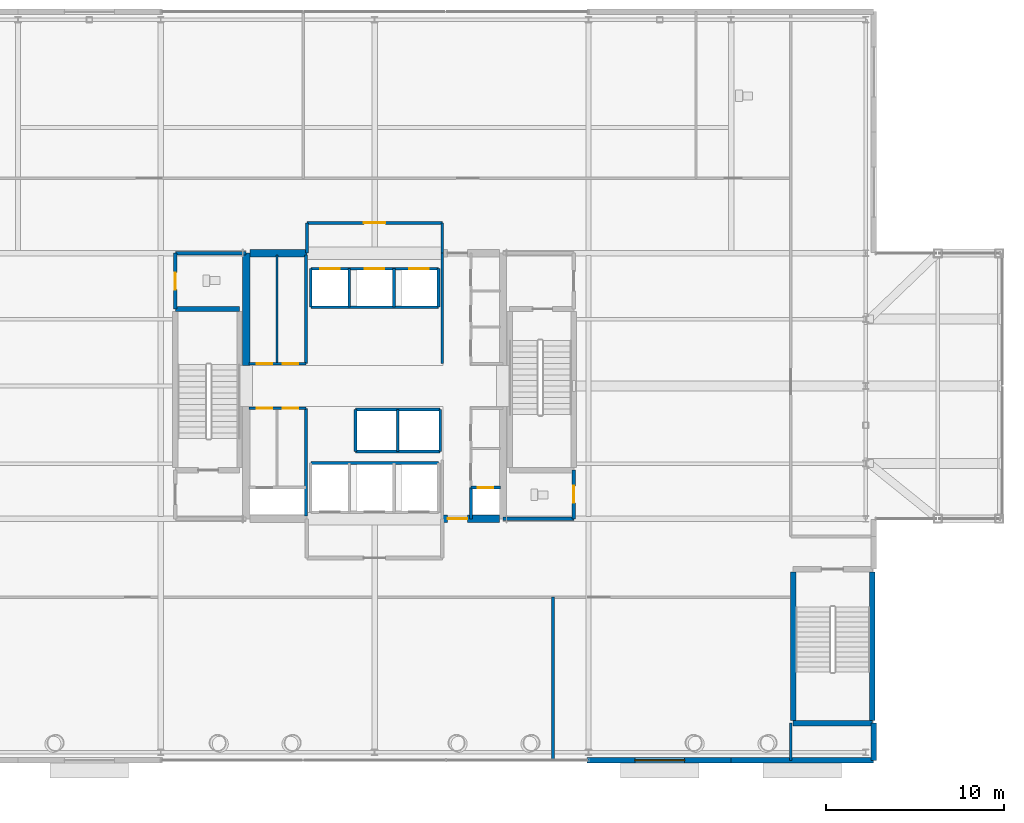
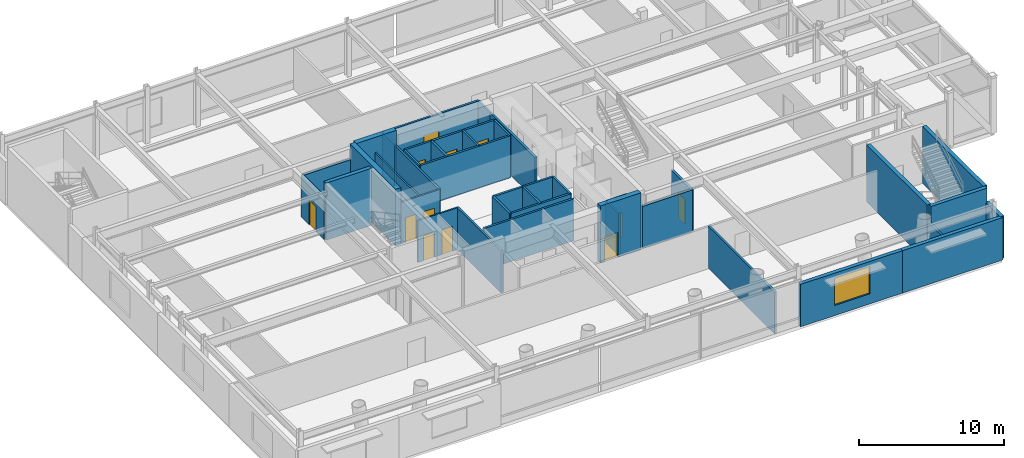
# One storey, part 20 of 26: 39 walls, 12 doors, 1 window, 13 openings.
"""IFC4 building model written with IfcOpenShell, lengths in metres."""

from ifc_helpers import new_model, si_unit, direction, frame, frame_2d, origin, place, context, subcontext, project, spatial, rectangle, extrude, material, layer, layer_set, type_object, element, fill, save


model = new_model("IFC4")

# Units and contexts
model_context = context("Model", 3, precision=1e-05, world=origin(), true_north=direction((0.0, 1.0)))
body_context = subcontext(model_context, "Body", "Model", "MODEL_VIEW")
ifc_project = project(units=[si_unit("LENGTHUNIT", "METRE"), si_unit("AREAUNIT", "SQUARE_METRE"), si_unit("VOLUMEUNIT", "CUBIC_METRE"), si_unit("PLANEANGLEUNIT", "RADIAN"), si_unit("MASSUNIT", "GRAM", prefix="KILO")], contexts=[model_context])

# Site, building, storey
site_placement = place(None, origin())
site = spatial("IfcSite", under=ifc_project, at=site_placement, CompositionType="ELEMENT")
building_placement = place(site_placement, origin())
building = spatial("IfcBuilding", under=site, at=building_placement, Name="Veldorina Hangang Commons", CompositionType="ELEMENT")
storey_placement = place(building_placement, frame((0.0, 0.0, 10.0)))
storey = spatial("IfcBuildingStorey", under=building, at=storey_placement, Name="L02", CompositionType="ELEMENT", Elevation=10.0)

# Wall
ifc_material_1 = material(Name="Concrete C70/85", Category="concrete")
ifc_layer_1 = layer(ifc_material_1, 0.39990234375)
ifc_layer_set_1 = layer_set([ifc_layer_1], Name="Concrete C70/85")
wall_type_1 = type_object("IfcWallType", Name="CW-RC400-C70", PredefinedType="SHEAR", material=ifc_layer_set_1)
wall_1_placement = place(storey_placement, frame((24.800048828125, 25.14990234375, 0.0), z_axis=(0.0, 0.0, 1.0), x_axis=(0.0, 1.0, 0.0)))
element("IfcWall", 1, at=wall_1_placement, inside=storey, type_object=wall_type_1, Name="L02 W north core shear wall", PredefinedType="SHEAR", context=body_context, shape_type="SweptSolid", body=[
    extrude(rectangle(XDim=6.300048828125, YDim=0.39990234375, at=frame_2d((3.14990234375, 0.0))), origin(), (0.0, 0.0, 1.0), 4.800048828125),
])

# Wall, opening, door
wall_2_placement = place(storey_placement, frame((35.800048828125, 16.550048828125, 0.0), z_axis=(0.0, 0.0, 1.0), x_axis=(1.0, 0.0, 0.0)))
wall_2 = element("IfcWall", 2, at=wall_2_placement, inside=storey, type_object=wall_type_1, Name="L02 south-east core shear wall", PredefinedType="SHEAR", context=body_context, shape_type="SweptSolid", body=[
    extrude(rectangle(XDim=3.199951171875, YDim=0.39990234375, at=frame_2d((1.60009765625, 0.0))), origin(), (0.0, 0.0, 1.0), 4.800048828125),
])
opening_1_placement = place(wall_2_placement, frame((0.300048828125, 0.0, 0.0)))
opening_1 = element("IfcOpeningElement", 3, at=opening_1_placement, cuts=wall_2, Name="Opening D-08", PredefinedType="OPENING", context=body_context, shape_type="SweptSolid", body=[
    extrude(rectangle(XDim=1.10009765625, YDim=2.10009765625, at=frame_2d((0.550048828125, 1.050048828125))), frame((0.0, 0.2099609375, 0.0), z_axis=(0.0, -1.0, 0.0), x_axis=(1.0, 0.0, 0.0)), (0.0, 0.0, 1.0), 0.419921875),
])
ifc_material_2 = material(Name="Steel Fire-Rated Smoke Seal", Category="steel")
door_type_1 = type_object("IfcDoorType", Name="DR-FIRE-1100", OperationType="SINGLE_SWING_RIGHT", PredefinedType="DOOR", material=ifc_material_2)
door_1_placement = place(opening_1_placement, origin())
door_1 = element("IfcDoor", 4, at=door_1_placement, inside=storey, type_object=door_type_1, Name="L02 central lift lobby south corridor door", OperationType="SINGLE_SWING_RIGHT", OverallHeight=2.10009765625, OverallWidth=1.10009765625, PredefinedType="DOOR", context=body_context, shape_type="SweptSolid", body=[
    extrude(rectangle(XDim=1.10009765625, YDim=2.10009765625, at=frame_2d((0.550048828125, 1.050048828125))), frame((0.0, 0.02490234375, 0.0), z_axis=(0.0, -1.0, 0.0), x_axis=(1.0, 0.0, 0.0)), (0.0, 0.0, 1.0), 0.050048828125),
])
fill(opening_1, door_1)

# Wall
wall_3_placement = place(storey_placement, frame((25.0, 31.449951171875, 0.0), z_axis=(0.0, 0.0, 1.0), x_axis=(1.0, 0.0, 0.0)))
element("IfcWall", 5, at=wall_3_placement, inside=storey, type_object=wall_type_1, Name="L02 north-west core shear wall", PredefinedType="SHEAR", context=body_context, shape_type="SweptSolid", body=[
    extrude(rectangle(XDim=3.199951171875, YDim=0.39990234375, at=frame_2d((1.60009765625, 0.0))), origin(), (0.0, 0.0, 1.0), 4.800048828125),
])

# Wall, opening, window
ifc_material_3 = material(Name="Stone Roman Travertine", Category="masonry")
ifc_layer_2 = layer(ifc_material_3, 0.300048828125)
ifc_layer_set_2 = layer_set([ifc_layer_2], Name="Stone Roman Travertine")
wall_type_2 = type_object("IfcWallType", Name="EW-TRAV-300", PredefinedType="STANDARD", material=ifc_layer_set_2)
wall_4_placement = place(storey_placement, frame((43.905029296875, 3.0, 0.0), z_axis=(0.0, 0.0, 1.0), x_axis=(1.0, 0.0, 0.0)))
wall_4 = element("IfcWall", 6, at=wall_4_placement, inside=storey, type_object=wall_type_2, Name="L02 south podium stone wall S6", PredefinedType="STANDARD", context=body_context, shape_type="SweptSolid", body=[
    extrude(rectangle(XDim=8.094970703125, YDim=0.300048828125, at=frame_2d((4.04736328125, 0.0))), origin(), (0.0, 0.0, 1.0), 3.570068359375),
])
opening_2_placement = place(wall_4_placement, frame((2.695068359375, 0.0, 0.85009765625)))
opening_2 = element("IfcOpeningElement", 7, at=opening_2_placement, cuts=wall_4, Name="Opening W-06", PredefinedType="OPENING", context=body_context, shape_type="SweptSolid", body=[
    extrude(rectangle(XDim=2.800048828125, YDim=2.300048828125, at=frame_2d((1.39990234375, 1.14990234375))), frame((0.0, 0.16015625, 0.0), z_axis=(0.0, -1.0, 0.0), x_axis=(1.0, 0.0, 0.0)), (0.0, 0.0, 1.0), 0.320068359375),
])
ifc_material_4 = material(Name="Glass Acoustic Laminated", Category="glass")
window_type = type_object("IfcWindowType", Name="WIN-POD-2800", PartitioningType="SINGLE_PANEL", PredefinedType="WINDOW", material=ifc_material_4)
window_placement = place(opening_2_placement, origin())
window = element("IfcWindow", 8, at=window_placement, inside=storey, type_object=window_type, Name="L02 south podium window S6", OverallHeight=2.300048828125, OverallWidth=2.800048828125, PartitioningType="SINGLE_PANEL", PredefinedType="WINDOW", context=body_context, shape_type="SweptSolid", body=[
    extrude(rectangle(XDim=2.800048828125, YDim=2.300048828125, at=frame_2d((1.39990234375, 1.14990234375))), frame((0.0, 0.030029296875, 0.0), z_axis=(0.0, -1.0, 0.0), x_axis=(1.0, 0.0, 0.0)), (0.0, 0.0, 1.0), 0.06005859375),
])
fill(opening_2, window)

# Walls
wall_5_placement = place(storey_placement, frame((52.0, 3.0, 0.0), z_axis=(0.0, 0.0, 1.0), x_axis=(1.0, 0.0, 0.0)))
element("IfcWall", 9, at=wall_5_placement, inside=storey, type_object=wall_type_2, Name="L02 south podium stone wall S7", PredefinedType="STANDARD", context=body_context, shape_type="SweptSolid", body=[
    extrude(rectangle(XDim=8.0, YDim=0.300048828125, at=frame_2d((4.0, 0.0))), origin(), (0.0, 0.0, 1.0), 3.570068359375),
])
wall_6_placement = place(storey_placement, frame((60.0, 3.0, 0.0), z_axis=(0.0, 0.0, 1.0), x_axis=(0.0, 1.0, 0.0)))
element("IfcWall", 10, at=wall_6_placement, inside=storey, type_object=wall_type_2, Name="L02 east podium stone wall ES1", PredefinedType="STANDARD", context=body_context, shape_type="SweptSolid", body=[
    extrude(rectangle(XDim=2.080078125, YDim=0.300048828125, at=frame_2d((1.0400390625, 0.0))), origin(), (0.0, 0.0, 1.0), 3.570068359375),
])
ifc_material_5 = material(Name="Concrete C50/60", Category="concrete")
ifc_layer_3 = layer(ifc_material_5, 0.300048828125)
ifc_layer_set_3 = layer_set([ifc_layer_3], Name="Concrete C50/60")
wall_type_3 = type_object("IfcWallType", Name="SW-STAIR-300", PredefinedType="SHEAR", material=ifc_layer_set_3)
wall_7_placement = place(storey_placement, frame((20.820068359375, 28.320068359375, 0.0), z_axis=(0.0, 0.0, 1.0), x_axis=(1.0, 0.0, 0.0)))
element("IfcWall", 11, at=wall_7_placement, inside=storey, type_object=wall_type_3, Name="L02 ST1 north stair shear wall", PredefinedType="SHEAR", context=body_context, shape_type="SweptSolid", body=[
    extrude(rectangle(XDim=3.599853515625, YDim=0.300048828125, at=frame_2d((1.7998046875, 0.0))), origin(), (0.0, 0.0, 1.0), 4.800048828125),
])
for number, where, z_axis, x_axis, name in (
    (12, (55.47998046875, 5.22998046875, 0.0), (0.0, 0.0, 1.0), (0.0, 1.0, 0.0), "L02 STP2 W stair shear wall"),
    (13, (59.919921875, 5.22998046875, 0.0), (0.0, 0.0, 1.0), (0.0, 1.0, 0.0), "L02 STP2 E stair shear wall"),
):
    element("IfcWall", number, at=place(storey_placement, frame(where, z_axis=z_axis, x_axis=x_axis)), inside=storey, type_object=wall_type_3, Name=name, PredefinedType="SHEAR", context=body_context, shape_type="SweptSolid", body=[
        extrude(rectangle(XDim=8.340087890625, YDim=0.300048828125, at=frame_2d((4.169921875, 0.0))), origin(), (0.0, 0.0, 1.0), 4.800048828125),
    ])
wall_8_placement = place(storey_placement, frame((55.47998046875, 5.080078125, 0.0), z_axis=(0.0, 0.0, 1.0), x_axis=(1.0, 0.0, 0.0)))
element("IfcWall", 14, at=wall_8_placement, inside=storey, type_object=wall_type_3, Name="L02 STP2 S stair shear wall", PredefinedType="SHEAR", context=body_context, shape_type="SweptSolid", body=[
    extrude(rectangle(XDim=4.43994140625, YDim=0.300048828125, at=frame_2d((2.219970703125, 0.0))), origin(), (0.0, 0.0, 1.0), 4.800048828125),
])
ifc_material_6 = material(Name="Gypsum Fire-Rated Twin Stud Wall", Category="gypsum")
ifc_layer_4 = layer(ifc_material_6, 0.159912109375)
ifc_layer_set_4 = layer_set([ifc_layer_4], Name="Gypsum Fire-Rated Twin Stud Wall")
wall_type_4 = type_object("IfcWallType", Name="WL-FIRE-160", PredefinedType="SOLIDWALL", material=ifc_layer_set_4)
wall_9_placement = place(storey_placement, frame((37.39990234375, 16.550048828125, 0.0), z_axis=(0.0, 0.0, 1.0), x_axis=(0.0, 1.0, 0.0)))
element("IfcWall", 15, at=wall_9_placement, inside=storey, type_object=wall_type_4, Name="L02 Lift passage SE stub 010", PredefinedType="SOLIDWALL", context=body_context, shape_type="SweptSolid", body=[
    extrude(rectangle(XDim=1.75, YDim=0.159912109375, at=frame_2d((0.875, 0.0))), origin(), (0.0, 0.0, 1.0), 3.52001953125),
])
wall_10_placement = place(storey_placement, frame((35.800048828125, 25.25, 0.0), z_axis=(0.0, 0.0, 1.0), x_axis=(0.0, 1.0, 0.0)))
element("IfcWall", 16, at=wall_10_placement, inside=storey, type_object=wall_type_4, Name="L02 Lift passage NW wall 011", PredefinedType="SOLIDWALL", context=body_context, shape_type="SweptSolid", body=[
    extrude(rectangle(XDim=6.199951171875, YDim=0.159912109375, at=frame_2d((3.10009765625, 0.0))), origin(), (0.0, 0.0, 1.0), 3.52001953125),
])

# Wall, openings, doors
wall_11_placement = place(storey_placement, frame((28.419921875, 30.580078125, 0.0), z_axis=(0.0, 0.0, 1.0), x_axis=(1.0, 0.0, 0.0)))
wall_11 = element("IfcWall", 17, at=wall_11_placement, inside=storey, type_object=wall_type_4, Name="L02 Low-bank front shaft wall 015", PredefinedType="SOLIDWALL", context=body_context, shape_type="SweptSolid", body=[
    extrude(rectangle(XDim=7.16015625, YDim=0.159912109375, at=frame_2d((3.580078125, 0.0))), origin(), (0.0, 0.0, 1.0), 3.52001953125),
])
opening_3_placement = place(wall_11_placement, frame((0.530029296875, 0.0, 0.0)))
opening_3 = element("IfcOpeningElement", 18, at=opening_3_placement, cuts=wall_11, Name="Opening LD-01", PredefinedType="OPENING", context=body_context, shape_type="SweptSolid", body=[
    extrude(rectangle(XDim=1.10009765625, YDim=2.14990234375, at=frame_2d((0.550048828125, 1.074951171875))), frame((0.0, 0.08984375, 0.0), z_axis=(0.0, -1.0, 0.0), x_axis=(1.0, 0.0, 0.0)), (0.0, 0.0, 1.0), 0.179931640625),
])
opening_4_placement = place(wall_11_placement, frame((3.030029296875, 0.0, 0.0)))
opening_4 = element("IfcOpeningElement", 19, at=opening_4_placement, cuts=wall_11, Name="Opening LD-01", PredefinedType="OPENING", context=body_context, shape_type="SweptSolid", body=[
    extrude(rectangle(XDim=1.10009765625, YDim=2.14990234375, at=frame_2d((0.550048828125, 1.074951171875))), frame((0.0, 0.08984375, 0.0), z_axis=(0.0, -1.0, 0.0), x_axis=(1.0, 0.0, 0.0)), (0.0, 0.0, 1.0), 0.179931640625),
])
opening_5_placement = place(wall_11_placement, frame((5.530029296875, 0.0, 0.0)))
opening_5 = element("IfcOpeningElement", 20, at=opening_5_placement, cuts=wall_11, Name="Opening LD-01", PredefinedType="OPENING", context=body_context, shape_type="SweptSolid", body=[
    extrude(rectangle(XDim=1.10009765625, YDim=2.14990234375, at=frame_2d((0.550048828125, 1.074951171875))), frame((0.0, 0.08984375, 0.0), z_axis=(0.0, -1.0, 0.0), x_axis=(1.0, 0.0, 0.0)), (0.0, 0.0, 1.0), 0.179931640625),
])
ifc_material_7 = material(Name="Stainless Steel Brushed Lift Door", Category="steel")
door_type_2 = type_object("IfcDoorType", Name="DR-LIFT-1100", OperationType="SLIDING_TO_LEFT", PredefinedType="DOOR", material=ifc_material_7)
door_2_placement = place(opening_3_placement, origin())
door_2 = element("IfcDoor", 21, at=door_2_placement, inside=storey, type_object=door_type_2, Name="L02 Lift PL-L1 landing door 006", OperationType="SLIDING_TO_LEFT", OverallHeight=2.14990234375, OverallWidth=1.10009765625, PredefinedType="DOOR", context=body_context, shape_type="SweptSolid", body=[
    extrude(rectangle(XDim=1.10009765625, YDim=2.14990234375, at=frame_2d((0.550048828125, 1.074951171875))), frame((0.0, 0.02490234375, 0.0), z_axis=(0.0, -1.0, 0.0), x_axis=(1.0, 0.0, 0.0)), (0.0, 0.0, 1.0), 0.050048828125),
])
fill(opening_3, door_2)
door_3_placement = place(opening_4_placement, origin())
door_3 = element("IfcDoor", 22, at=door_3_placement, inside=storey, type_object=door_type_2, Name="L02 Lift PL-L2 landing door 007", OperationType="SLIDING_TO_LEFT", OverallHeight=2.14990234375, OverallWidth=1.10009765625, PredefinedType="DOOR", context=body_context, shape_type="SweptSolid", body=[
    extrude(rectangle(XDim=1.10009765625, YDim=2.14990234375, at=frame_2d((0.550048828125, 1.074951171875))), frame((0.0, 0.02490234375, 0.0), z_axis=(0.0, -1.0, 0.0), x_axis=(1.0, 0.0, 0.0)), (0.0, 0.0, 1.0), 0.050048828125),
])
fill(opening_4, door_3)
door_4_placement = place(opening_5_placement, origin())
door_4 = element("IfcDoor", 23, at=door_4_placement, inside=storey, type_object=door_type_2, Name="L02 Lift PL-L3 landing door 008", OperationType="SLIDING_TO_LEFT", OverallHeight=2.14990234375, OverallWidth=1.10009765625, PredefinedType="DOOR", context=body_context, shape_type="SweptSolid", body=[
    extrude(rectangle(XDim=1.10009765625, YDim=2.14990234375, at=frame_2d((0.550048828125, 1.074951171875))), frame((0.0, 0.02490234375, 0.0), z_axis=(0.0, -1.0, 0.0), x_axis=(1.0, 0.0, 0.0)), (0.0, 0.0, 1.0), 0.050048828125),
])
fill(opening_5, door_4)

# Walls
wall_12_placement = place(storey_placement, frame((28.419921875, 28.419921875, 0.0), z_axis=(0.0, 0.0, 1.0), x_axis=(1.0, 0.0, 0.0)))
element("IfcWall", 24, at=wall_12_placement, inside=storey, type_object=wall_type_4, Name="L02 Low-bank rear shaft wall 016", PredefinedType="SOLIDWALL", context=body_context, shape_type="SweptSolid", body=[
    extrude(rectangle(XDim=7.16015625, YDim=0.159912109375, at=frame_2d((3.580078125, 0.0))), origin(), (0.0, 0.0, 1.0), 3.52001953125),
])
for number, where, z_axis, x_axis, name in (
    (25, (28.419921875, 28.419921875, 0.0), (0.0, 0.0, 1.0), (0.0, 1.0, 0.0), "L02 PL-L1 west shaft wall 017"),
    (26, (30.580078125, 28.419921875, 0.0), (0.0, 0.0, 1.0), (0.0, 1.0, 0.0), "L02 PL-L1 east shaft wall 018"),
    (27, (33.080078125, 28.419921875, 0.0), (0.0, 0.0, 1.0), (0.0, 1.0, 0.0), "L02 PL-L2 east shaft wall 019"),
    (28, (35.580078125, 28.419921875, 0.0), (0.0, 0.0, 1.0), (0.0, 1.0, 0.0), "L02 PL-L3 east shaft wall 020"),
):
    element("IfcWall", number, at=place(storey_placement, frame(where, z_axis=z_axis, x_axis=x_axis)), inside=storey, type_object=wall_type_4, Name=name, PredefinedType="SOLIDWALL", context=body_context, shape_type="SweptSolid", body=[
        extrude(rectangle(XDim=2.16015625, YDim=0.159912109375, at=frame_2d((1.080078125, 0.0))), origin(), (0.0, 0.0, 1.0), 3.52001953125),
    ])
for number, where, z_axis, x_axis, name in (
    (29, (30.919921875, 22.679931640625, 0.0), (0.0, 0.0, 1.0), (1.0, 0.0, 0.0), "L02 Shuttle-high front shaft wall 021"),
    (30, (30.919921875, 20.320068359375, 0.0), (0.0, 0.0, 1.0), (1.0, 0.0, 0.0), "L02 Shuttle-high rear shaft wall 022"),
):
    element("IfcWall", number, at=place(storey_placement, frame(where, z_axis=z_axis, x_axis=x_axis)), inside=storey, type_object=wall_type_4, Name=name, PredefinedType="SOLIDWALL", context=body_context, shape_type="SweptSolid", body=[
        extrude(rectangle(XDim=4.760009765625, YDim=0.159912109375, at=frame_2d((2.3798828125, 0.0))), origin(), (0.0, 0.0, 1.0), 3.52001953125),
    ])
for number, where, z_axis, x_axis, name in (
    (31, (30.919921875, 20.320068359375, 0.0), (0.0, 0.0, 1.0), (0.0, 1.0, 0.0), "L02 SL-1 west shaft wall 023"),
    (32, (33.300048828125, 20.320068359375, 0.0), (0.0, 0.0, 1.0), (0.0, 1.0, 0.0), "L02 SL-1 east shaft wall 024"),
    (33, (35.679931640625, 20.320068359375, 0.0), (0.0, 0.0, 1.0), (0.0, 1.0, 0.0), "L02 SL-2 east shaft wall 025"),
):
    element("IfcWall", number, at=place(storey_placement, frame(where, z_axis=z_axis, x_axis=x_axis)), inside=storey, type_object=wall_type_4, Name=name, PredefinedType="SOLIDWALL", context=body_context, shape_type="SweptSolid", body=[
        extrude(rectangle(XDim=2.35986328125, YDim=0.159912109375, at=frame_2d((1.179931640625, 0.0))), origin(), (0.0, 0.0, 1.0), 3.52001953125),
    ])
wall_13_placement = place(storey_placement, frame((28.419921875, 19.679931640625, 0.0), z_axis=(0.0, 0.0, 1.0), x_axis=(1.0, 0.0, 0.0)))
element("IfcWall", 34, at=wall_13_placement, inside=storey, type_object=wall_type_4, Name="L02 Emergency rear shaft wall 027", PredefinedType="SOLIDWALL", context=body_context, shape_type="SweptSolid", body=[
    extrude(rectangle(XDim=7.16015625, YDim=0.159912109375, at=frame_2d((3.580078125, 0.0))), origin(), (0.0, 0.0, 1.0), 3.52001953125),
])
for number, where, z_axis, x_axis, name in (
    (35, (28.199951171875, 31.449951171875, 0.0), (0.0, 0.0, 1.0), (0.0, 1.0, 0.0), "L02 North lobby west wall 032"),
    (36, (35.800048828125, 31.449951171875, 0.0), (0.0, 0.0, 1.0), (0.0, 1.0, 0.0), "L02 North lobby east wall 033"),
):
    element("IfcWall", number, at=place(storey_placement, frame(where, z_axis=z_axis, x_axis=x_axis)), inside=storey, type_object=wall_type_4, Name=name, PredefinedType="SOLIDWALL", context=body_context, shape_type="SweptSolid", body=[
        extrude(rectangle(XDim=1.699951171875, YDim=0.159912109375, at=frame_2d((0.85009765625, 0.0))), origin(), (0.0, 0.0, 1.0), 3.52001953125),
    ])

# Wall, opening, door
wall_14_placement = place(storey_placement, frame((28.199951171875, 33.14990234375, 0.0), z_axis=(0.0, 0.0, 1.0), x_axis=(1.0, 0.0, 0.0)))
wall_14 = element("IfcWall", 37, at=wall_14_placement, inside=storey, type_object=wall_type_4, Name="L02 North lobby north wall 034", PredefinedType="SOLIDWALL", context=body_context, shape_type="SweptSolid", body=[
    extrude(rectangle(XDim=7.60009765625, YDim=0.159912109375, at=frame_2d((3.800048828125, 0.0))), origin(), (0.0, 0.0, 1.0), 3.52001953125),
])
opening_6_placement = place(wall_14_placement, frame((3.199951171875, 0.0, 0.0)))
opening_6 = element("IfcOpeningElement", 38, at=opening_6_placement, cuts=wall_14, Name="Opening D-09", PredefinedType="OPENING", context=body_context, shape_type="SweptSolid", body=[
    extrude(rectangle(XDim=1.199951171875, YDim=2.10009765625, at=frame_2d((0.60009765625, 1.050048828125))), frame((0.0, 0.08984375, 0.0), z_axis=(0.0, -1.0, 0.0), x_axis=(1.0, 0.0, 0.0)), (0.0, 0.0, 1.0), 0.179931640625),
])
ifc_material_8 = material(Name="Steel Fire-Rated Corridor Door", Category="steel")
door_type_3 = type_object("IfcDoorType", Name="DR-FIRE-1200", OperationType="SINGLE_SWING_LEFT", PredefinedType="DOOR", material=ifc_material_8)
door_5_placement = place(opening_6_placement, origin())
door_5 = element("IfcDoor", 39, at=door_5_placement, inside=storey, type_object=door_type_3, Name="L02 North lift lobby corridor door 012", OperationType="SINGLE_SWING_RIGHT", OverallHeight=2.10009765625, OverallWidth=1.199951171875, PredefinedType="DOOR", context=body_context, shape_type="SweptSolid", body=[
    extrude(rectangle(XDim=1.199951171875, YDim=2.10009765625, at=frame_2d((0.60009765625, 1.050048828125))), frame((0.0, 0.02490234375, 0.0), z_axis=(0.0, -1.0, 0.0), x_axis=(1.0, 0.0, 0.0)), (0.0, 0.0, 1.0), 0.050048828125),
])
fill(opening_6, door_5)

# Wall
wall_15_placement = place(storey_placement, frame((28.14990234375, 16.699951171875, 0.0), z_axis=(0.0, 0.0, 1.0), x_axis=(0.0, 1.0, 0.0)))
element("IfcWall", 40, at=wall_15_placement, inside=storey, type_object=wall_type_4, Name="L02 SW core inner wall 036", PredefinedType="SOLIDWALL", context=body_context, shape_type="SweptSolid", body=[
    extrude(rectangle(XDim=6.050048828125, YDim=0.159912109375, at=frame_2d((3.02490234375, 0.0))), origin(), (0.0, 0.0, 1.0), 3.52001953125),
])

# Wall, opening, door
wall_16_placement = place(storey_placement, frame((37.39990234375, 18.300048828125, 0.0), z_axis=(0.0, 0.0, 1.0), x_axis=(1.0, 0.0, 0.0)))
wall_16 = element("IfcWall", 41, at=wall_16_placement, inside=storey, type_object=wall_type_4, Name="L02 Plumbing riser wall 037", PredefinedType="SOLIDWALL", context=body_context, shape_type="SweptSolid", body=[
    extrude(rectangle(XDim=1.650146484375, YDim=0.159912109375, at=frame_2d((0.8251953125, 0.0))), origin(), (0.0, 0.0, 1.0), 3.52001953125),
])
opening_7_placement = place(wall_16_placement, frame((0.39501953125, 0.0, 0.0)))
opening_7 = element("IfcOpeningElement", 42, at=opening_7_placement, cuts=wall_16, Name="Opening D-01N", PredefinedType="OPENING", context=body_context, shape_type="SweptSolid", body=[
    extrude(rectangle(XDim=0.860107421875, YDim=2.10009765625, at=frame_2d((0.43017578125, 1.050048828125))), frame((0.0, 0.08984375, 0.0), z_axis=(0.0, -1.0, 0.0), x_axis=(1.0, 0.0, 0.0)), (0.0, 0.0, 1.0), 0.179931640625),
])
ifc_material_9 = material(Name="Timber Fire-Rated Core", Category="wood")
door_type_4 = type_object("IfcDoorType", Name="DR-INT-860", OperationType="SINGLE_SWING_LEFT", PredefinedType="DOOR", material=ifc_material_9)
door_6_placement = place(opening_7_placement, origin())
door_6 = element("IfcDoor", 43, at=door_6_placement, inside=storey, type_object=door_type_4, Name="L02 Plumbing riser access door 014", OperationType="SINGLE_SWING_RIGHT", OverallHeight=2.10009765625, OverallWidth=0.860107421875, PredefinedType="TRAPDOOR", context=body_context, shape_type="SweptSolid", body=[
    extrude(rectangle(XDim=0.860107421875, YDim=2.10009765625, at=frame_2d((0.43017578125, 1.050048828125))), frame((0.0, 0.02490234375, 0.0), z_axis=(0.0, -1.0, 0.0), x_axis=(1.0, 0.0, 0.0)), (0.0, 0.0, 1.0), 0.050048828125),
])
fill(opening_7, door_6)

# Walls
wall_17_placement = place(storey_placement, frame((28.14990234375, 25.25, 0.0), z_axis=(0.0, 0.0, 1.0), x_axis=(0.0, 1.0, 0.0)))
element("IfcWall", 44, at=wall_17_placement, inside=storey, type_object=wall_type_4, Name="L02 NW core inner wall 038", PredefinedType="SOLIDWALL", context=body_context, shape_type="SweptSolid", body=[
    extrude(rectangle(XDim=6.10009765625, YDim=0.159912109375, at=frame_2d((3.050048828125, 0.0))), origin(), (0.0, 0.0, 1.0), 3.52001953125),
])
wall_18_placement = place(storey_placement, frame((42.0, 3.0, 0.0), z_axis=(0.0, 0.0, 1.0), x_axis=(0.0, 1.0, 0.0)))
element("IfcWall", 45, at=wall_18_placement, inside=storey, type_object=wall_type_4, Name="L02 Refectory-kitchen wall 057", PredefinedType="SOLIDWALL", context=body_context, shape_type="SweptSolid", body=[
    extrude(rectangle(XDim=9.14990234375, YDim=0.159912109375, at=frame_2d((4.574951171875, 0.0))), origin(), (0.0, 0.0, 1.0), 3.52001953125),
])
wall_19_placement = place(storey_placement, frame((55.35009765625, 3.0, 0.0), z_axis=(0.0, 0.0, 1.0), x_axis=(0.0, 1.0, 0.0)))
element("IfcWall", 46, at=wall_19_placement, inside=storey, type_object=wall_type_4, Name="L02 Kitchen SE stub wall 058", PredefinedType="SOLIDWALL", context=body_context, shape_type="SweptSolid", body=[
    extrude(rectangle(XDim=2.080078125, YDim=0.159912109375, at=frame_2d((1.0400390625, 0.0))), origin(), (0.0, 0.0, 1.0), 3.52001953125),
])

# Wall, opening, door
ifc_material_10 = material(Name="Concrete Blockwork Fire Wall C30/37", Category="masonry")
ifc_layer_5 = layer(ifc_material_10, 0.199951171875)
ifc_layer_set_5 = layer_set([ifc_layer_5], Name="Concrete Blockwork Fire Wall C30/37")
wall_type_5 = type_object("IfcWallType", Name="WL-FIRE-200", PredefinedType="SOLIDWALL", material=ifc_layer_set_5)
wall_20_placement = place(storey_placement, frame((20.820068359375, 28.320068359375, 0.0), z_axis=(0.0, 0.0, 1.0), x_axis=(0.0, 1.0, 0.0)))
wall_20 = element("IfcWall", 47, at=wall_20_placement, inside=storey, type_object=wall_type_5, Name="L02 NW core room outer wall 005", PredefinedType="SOLIDWALL", context=body_context, shape_type="SweptSolid", body=[
    extrude(rectangle(XDim=3.1298828125, YDim=0.199951171875, at=frame_2d((1.56494140625, 0.0))), origin(), (0.0, 0.0, 1.0), 3.52001953125),
])
opening_8_placement = place(wall_20_placement, frame((1.090087890625, 0.0, 0.0)))
opening_8 = element("IfcOpeningElement", 48, at=opening_8_placement, cuts=wall_20, Name="Opening D-04", PredefinedType="OPENING", context=body_context, shape_type="SweptSolid", body=[
    extrude(rectangle(XDim=0.949951171875, YDim=2.10009765625, at=frame_2d((0.47509765625, 1.050048828125))), frame((0.0, 0.10986328125, 0.0), z_axis=(0.0, -1.0, 0.0), x_axis=(1.0, 0.0, 0.0)), (0.0, 0.0, 1.0), 0.219970703125),
])
ifc_material_11 = material(Name="Timber Accessible Flush Leaf", Category="wood")
door_type_5 = type_object("IfcDoorType", Name="DR-ACC-950", OperationType="SINGLE_SWING_LEFT", PredefinedType="DOOR", material=ifc_material_11)
door_7_placement = place(opening_8_placement, origin())
door_7 = element("IfcDoor", 49, at=door_7_placement, inside=storey, type_object=door_type_5, Name="L02 NW core WC door 003", OperationType="SINGLE_SWING_LEFT", OverallHeight=2.10009765625, OverallWidth=0.949951171875, PredefinedType="DOOR", context=body_context, shape_type="SweptSolid", body=[
    extrude(rectangle(XDim=0.949951171875, YDim=2.10009765625, at=frame_2d((0.47509765625, 1.050048828125))), frame((0.0, 0.02490234375, 0.0), z_axis=(0.0, -1.0, 0.0), x_axis=(1.0, 0.0, 0.0)), (0.0, 0.0, 1.0), 0.050048828125),
])
fill(opening_8, door_7)

# Wall
wall_21_placement = place(storey_placement, frame((20.820068359375, 31.449951171875, 0.0), z_axis=(0.0, 0.0, 1.0), x_axis=(1.0, 0.0, 0.0)))
element("IfcWall", 50, at=wall_21_placement, inside=storey, type_object=wall_type_5, Name="L02 NW core room north wall 006", PredefinedType="SOLIDWALL", context=body_context, shape_type="SweptSolid", body=[
    extrude(rectangle(XDim=3.97998046875, YDim=0.199951171875, at=frame_2d((1.989990234375, 0.0))), origin(), (0.0, 0.0, 1.0), 3.52001953125),
])

# Wall, opening, door
wall_22_placement = place(storey_placement, frame((43.179931640625, 16.550048828125, 0.0), z_axis=(0.0, 0.0, 1.0), x_axis=(0.0, 1.0, 0.0)))
wall_22 = element("IfcWall", 51, at=wall_22_placement, inside=storey, type_object=wall_type_5, Name="L02 SE core room outer wall 007", PredefinedType="SOLIDWALL", context=body_context, shape_type="SweptSolid", body=[
    extrude(rectangle(XDim=2.72998046875, YDim=0.199951171875, at=frame_2d((1.364990234375, 0.0))), origin(), (0.0, 0.0, 1.0), 3.52001953125),
])
opening_9_placement = place(wall_22_placement, frame((0.889892578125, 0.0, 0.0)))
opening_9 = element("IfcOpeningElement", 52, at=opening_9_placement, cuts=wall_22, Name="Opening D-02", PredefinedType="OPENING", context=body_context, shape_type="SweptSolid", body=[
    extrude(rectangle(XDim=0.949951171875, YDim=2.10009765625, at=frame_2d((0.47509765625, 1.050048828125))), frame((0.0, 0.10986328125, 0.0), z_axis=(0.0, -1.0, 0.0), x_axis=(1.0, 0.0, 0.0)), (0.0, 0.0, 1.0), 0.219970703125),
])
ifc_material_12 = material(Name="Timber Solid Core Acoustic", Category="wood")
door_type_6 = type_object("IfcDoorType", Name="DR-INT-950", OperationType="SINGLE_SWING_LEFT", PredefinedType="DOOR", material=ifc_material_12)
door_8_placement = place(opening_9_placement, origin())
door_8 = element("IfcDoor", 53, at=door_8_placement, inside=storey, type_object=door_type_6, Name="L02 SE core WC door 004", OperationType="SINGLE_SWING_RIGHT", OverallHeight=2.10009765625, OverallWidth=0.949951171875, PredefinedType="DOOR", context=body_context, shape_type="SweptSolid", body=[
    extrude(rectangle(XDim=0.949951171875, YDim=2.10009765625, at=frame_2d((0.47509765625, 1.050048828125))), frame((0.0, 0.02490234375, 0.0), z_axis=(0.0, -1.0, 0.0), x_axis=(1.0, 0.0, 0.0)), (0.0, 0.0, 1.0), 0.050048828125),
])
fill(opening_9, door_8)

# Wall
wall_23_placement = place(storey_placement, frame((39.199951171875, 16.550048828125, 0.0), z_axis=(0.0, 0.0, 1.0), x_axis=(1.0, 0.0, 0.0)))
element("IfcWall", 54, at=wall_23_placement, inside=storey, type_object=wall_type_5, Name="L02 SE core room south wall 008", PredefinedType="SOLIDWALL", context=body_context, shape_type="SweptSolid", body=[
    extrude(rectangle(XDim=3.97998046875, YDim=0.199951171875, at=frame_2d((1.989990234375, 0.0))), origin(), (0.0, 0.0, 1.0), 3.52001953125),
])

# Wall, openings, doors
ifc_material_13 = material(Name="Gypsum Acoustic Stud Partition", Category="gypsum")
ifc_layer_6 = layer(ifc_material_13, 0.1201171875)
ifc_layer_set_6 = layer_set([ifc_layer_6], Name="Gypsum Acoustic Stud Partition")
wall_type_6 = type_object("IfcWallType", Name="WL-PART-120", PredefinedType="PARTITIONING", material=ifc_layer_set_6)
wall_24_placement = place(storey_placement, frame((24.949951171875, 25.25, 0.0), z_axis=(0.0, 0.0, 1.0), x_axis=(1.0, 0.0, 0.0)))
wall_24 = element("IfcWall", 55, at=wall_24_placement, inside=storey, type_object=wall_type_6, Name="L02 NW service south wall 039", PredefinedType="PARTITIONING", context=body_context, shape_type="SweptSolid", body=[
    extrude(rectangle(XDim=3.199951171875, YDim=0.1201171875, at=frame_2d((1.60009765625, 0.0))), origin(), (0.0, 0.0, 1.0), 3.52001953125),
])
opening_10_placement = place(wall_24_placement, frame((0.43994140625, 0.0, 0.0)))
opening_10 = element("IfcOpeningElement", 56, at=opening_10_placement, cuts=wall_24, Name="Opening D-01", PredefinedType="OPENING", context=body_context, shape_type="SweptSolid", body=[
    extrude(rectangle(XDim=0.860107421875, YDim=2.10009765625, at=frame_2d((0.43017578125, 1.050048828125))), frame((0.0, 0.070068359375, 0.0), z_axis=(0.0, -1.0, 0.0), x_axis=(1.0, 0.0, 0.0)), (0.0, 0.0, 1.0), 0.14013671875),
])
opening_11_placement = place(wall_24_placement, frame((1.89990234375, 0.0, 0.0)))
opening_11 = element("IfcOpeningElement", 57, at=opening_11_placement, cuts=wall_24, Name="Opening D-01", PredefinedType="OPENING", context=body_context, shape_type="SweptSolid", body=[
    extrude(rectangle(XDim=0.860107421875, YDim=2.10009765625, at=frame_2d((0.43017578125, 1.050048828125))), frame((0.0, 0.070068359375, 0.0), z_axis=(0.0, -1.0, 0.0), x_axis=(1.0, 0.0, 0.0)), (0.0, 0.0, 1.0), 0.14013671875),
])
ifc_material_14 = material(Name="Timber Moisture-Resistant Core", Category="wood")
door_type_7 = type_object("IfcDoorType", Name="DR-WET-860", OperationType="SINGLE_SWING_LEFT", PredefinedType="DOOR", material=ifc_material_14)
door_9_placement = place(opening_10_placement, origin())
door_9 = element("IfcDoor", 58, at=door_9_placement, inside=storey, type_object=door_type_7, Name="L02 Linen west door 015", OperationType="SINGLE_SWING_LEFT", OverallHeight=2.10009765625, OverallWidth=0.860107421875, PredefinedType="DOOR", context=body_context, shape_type="SweptSolid", body=[
    extrude(rectangle(XDim=0.860107421875, YDim=2.10009765625, at=frame_2d((0.43017578125, 1.050048828125))), frame((0.0, 0.02490234375, 0.0), z_axis=(0.0, -1.0, 0.0), x_axis=(1.0, 0.0, 0.0)), (0.0, 0.0, 1.0), 0.050048828125),
])
fill(opening_10, door_9)
door_10_placement = place(opening_11_placement, origin())
door_10 = element("IfcDoor", 59, at=door_10_placement, inside=storey, type_object=door_type_7, Name="L02 Data closet door 016", OperationType="SINGLE_SWING_RIGHT", OverallHeight=2.10009765625, OverallWidth=0.860107421875, PredefinedType="DOOR", context=body_context, shape_type="SweptSolid", body=[
    extrude(rectangle(XDim=0.860107421875, YDim=2.10009765625, at=frame_2d((0.43017578125, 1.050048828125))), frame((0.0, 0.02490234375, 0.0), z_axis=(0.0, -1.0, 0.0), x_axis=(1.0, 0.0, 0.0)), (0.0, 0.0, 1.0), 0.050048828125),
])
fill(opening_11, door_10)

wall_25_placement = place(storey_placement, frame((24.949951171875, 22.75, 0.0), z_axis=(0.0, 0.0, 1.0), x_axis=(1.0, 0.0, 0.0)))
wall_25 = element("IfcWall", 60, at=wall_25_placement, inside=storey, type_object=wall_type_6, Name="L02 SW service north wall 040", PredefinedType="PARTITIONING", context=body_context, shape_type="SweptSolid", body=[
    extrude(rectangle(XDim=3.199951171875, YDim=0.1201171875, at=frame_2d((1.60009765625, 0.0))), origin(), (0.0, 0.0, 1.0), 3.52001953125),
])
opening_12_placement = place(wall_25_placement, frame((0.43994140625, 0.0, 0.0)))
opening_12 = element("IfcOpeningElement", 61, at=opening_12_placement, cuts=wall_25, Name="Opening D-01", PredefinedType="OPENING", context=body_context, shape_type="SweptSolid", body=[
    extrude(rectangle(XDim=0.860107421875, YDim=2.10009765625, at=frame_2d((0.43017578125, 1.050048828125))), frame((0.0, 0.070068359375, 0.0), z_axis=(0.0, -1.0, 0.0), x_axis=(1.0, 0.0, 0.0)), (0.0, 0.0, 1.0), 0.14013671875),
])
opening_13_placement = place(wall_25_placement, frame((1.89990234375, 0.0, 0.0)))
opening_13 = element("IfcOpeningElement", 62, at=opening_13_placement, cuts=wall_25, Name="Opening D-01", PredefinedType="OPENING", context=body_context, shape_type="SweptSolid", body=[
    extrude(rectangle(XDim=0.860107421875, YDim=2.10009765625, at=frame_2d((0.43017578125, 1.050048828125))), frame((0.0, 0.070068359375, 0.0), z_axis=(0.0, -1.0, 0.0), x_axis=(1.0, 0.0, 0.0)), (0.0, 0.0, 1.0), 0.14013671875),
])
door_11_placement = place(opening_12_placement, origin())
door_11 = element("IfcDoor", 63, at=door_11_placement, inside=storey, type_object=door_type_7, Name="L02 Cleaners door 017", OperationType="SINGLE_SWING_LEFT", OverallHeight=2.10009765625, OverallWidth=0.860107421875, PredefinedType="DOOR", context=body_context, shape_type="SweptSolid", body=[
    extrude(rectangle(XDim=0.860107421875, YDim=2.10009765625, at=frame_2d((0.43017578125, 1.050048828125))), frame((0.0, 0.02490234375, 0.0), z_axis=(0.0, -1.0, 0.0), x_axis=(1.0, 0.0, 0.0)), (0.0, 0.0, 1.0), 0.050048828125),
])
fill(opening_12, door_11)
door_12_placement = place(opening_13_placement, origin())
door_12 = element("IfcDoor", 64, at=door_12_placement, inside=storey, type_object=door_type_7, Name="L02 Metering door 018", OperationType="SINGLE_SWING_RIGHT", OverallHeight=2.10009765625, OverallWidth=0.860107421875, PredefinedType="DOOR", context=body_context, shape_type="SweptSolid", body=[
    extrude(rectangle(XDim=0.860107421875, YDim=2.10009765625, at=frame_2d((0.43017578125, 1.050048828125))), frame((0.0, 0.02490234375, 0.0), z_axis=(0.0, -1.0, 0.0), x_axis=(1.0, 0.0, 0.0)), (0.0, 0.0, 1.0), 0.050048828125),
])
fill(opening_13, door_12)

# Wall
wall_26_placement = place(storey_placement, frame((26.530029296875, 25.25, 0.0), z_axis=(0.0, 0.0, 1.0), x_axis=(0.0, 1.0, 0.0)))
element("IfcWall", 65, at=wall_26_placement, inside=storey, type_object=wall_type_6, Name="L02 NW vertical split 045", PredefinedType="PARTITIONING", context=body_context, shape_type="SweptSolid", body=[
    extrude(rectangle(XDim=6.10009765625, YDim=0.1201171875, at=frame_2d((3.050048828125, 0.0))), origin(), (0.0, 0.0, 1.0), 3.52001953125),
])

save(model, "model.ifc")
